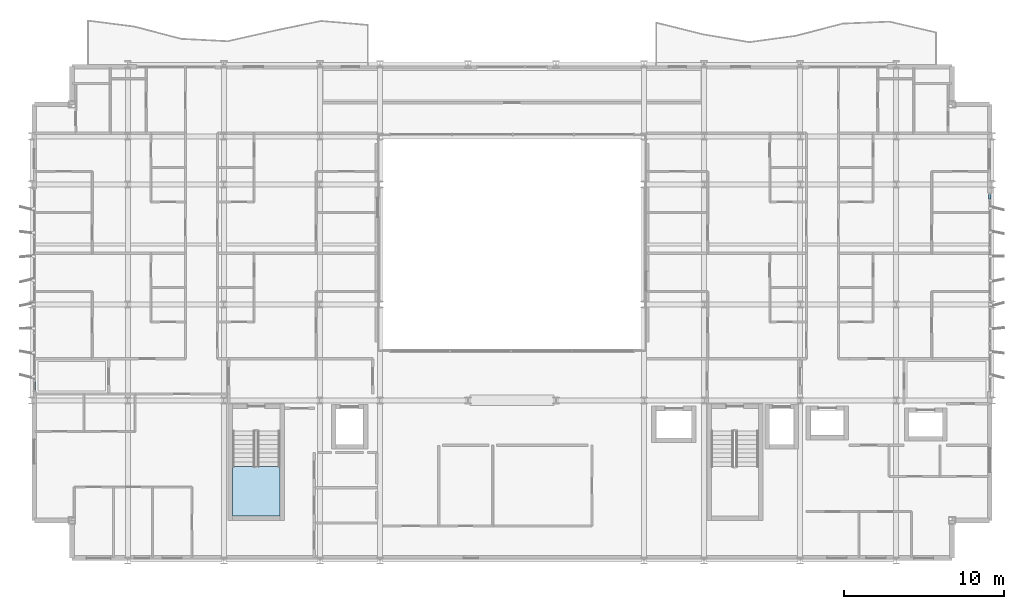
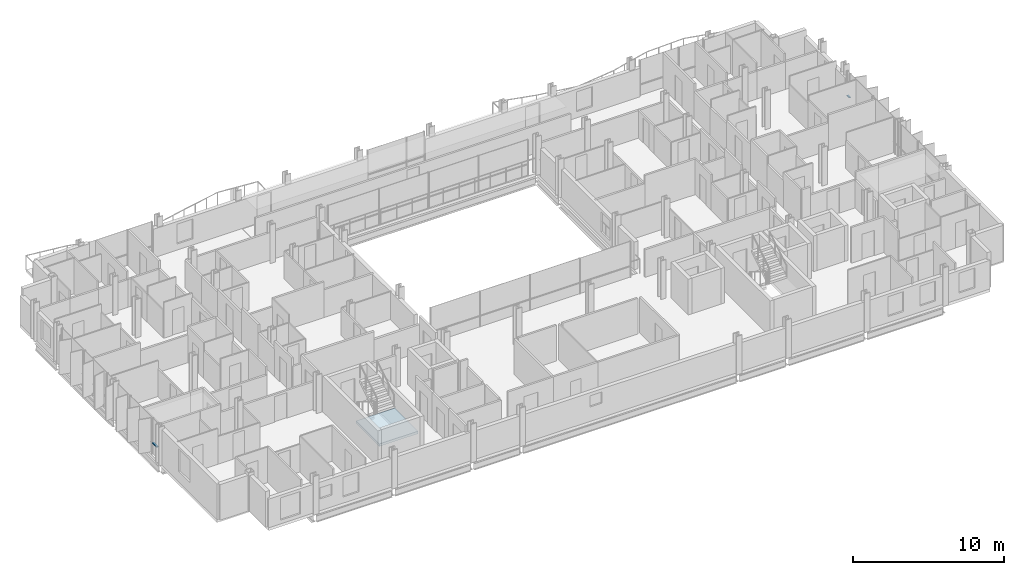
# One storey, part 21 of 39: 2 members, 1 slab, 3 elements without a shape of their own.
"""IFC4 building model written with IfcOpenShell, lengths in metres."""

from ifc_helpers import new_model, si_unit, direction, frame, origin, origin_2d, place, context, subcontext, project, spatial, polyline, hollow_rectangle, outline, extrude, material, layer, layer_set, material_profile, profile_set, type_object, element, aggregate, save


model = new_model("IFC4")

# Units and contexts
model_context = context("Model", 3, precision=1e-05, world=origin(), true_north=direction((0.0, 1.0)))
body_context = subcontext(model_context, "Body", "Model", "MODEL_VIEW")
ifc_project = project(units=[si_unit("LENGTHUNIT", "METRE"), si_unit("AREAUNIT", "SQUARE_METRE"), si_unit("VOLUMEUNIT", "CUBIC_METRE"), si_unit("PLANEANGLEUNIT", "RADIAN"), si_unit("MASSUNIT", "GRAM", prefix="KILO")], contexts=[model_context])

# Site, building, storey
site_placement = place(None, origin())
site = spatial("IfcSite", under=ifc_project, at=site_placement, CompositionType="ELEMENT")
building_placement = place(site_placement, origin())
building = spatial("IfcBuilding", under=site, at=building_placement, Name="Brevholm Reach", CompositionType="ELEMENT")
storey_placement = place(building_placement, frame((0.0, 0.0, 77.60009765625)))
storey = spatial("IfcBuildingStorey", under=building, at=storey_placement, Name="L22", CompositionType="ELEMENT", Elevation=77.60009765625)

# Curtain wall, member
ifc_material_1 = material(Name="Dark Anodised Aluminium 6063-T6 and Solar-Control Glass", Category="aluminium")
ifc_layer_1 = layer(ifc_material_1, 0.14990234375)
ifc_layer_set_1 = layer_set([ifc_layer_1], Name="Dark Anodised Aluminium 6063-T6 and Solar-Control Glass")
curtain_wall_type = type_object("IfcCurtainWallType", Name="CW-01", PredefinedType="NOTDEFINED", material=ifc_layer_set_1)
curtain_wall_1_placement = place(storey_placement, origin())
curtain_wall_1 = element("IfcCurtainWall", 1, at=curtain_wall_1_placement, inside=storey, type_object=curtain_wall_type, Name="L22 Curtain Wall CW-01", PredefinedType="NOTDEFINED")
ifc_material_2 = material(Name="Dark Anodised Aluminium 6063-T6", Category="aluminium")
ifc_material_profile = material_profile(ifc_material_2, hollow_rectangle(XDim=0.06494140625, YDim=0.14990234375, WallThickness=0.0048828125, InnerFilletRadius=0.0048828125, OuterFilletRadius=0.010009765625, at=origin_2d()), Name="RHS 150x65x5")
ifc_profile_set = profile_set([ifc_material_profile], Name="Dark Anodised Aluminium 6063-T6")
member_type = type_object("IfcMemberType", Name="CWT-150", PredefinedType="NOTDEFINED", material=ifc_profile_set)
member_1_placement = place(storey_placement, frame((0.14990234375, 11.1875, 0.89990234375), z_axis=(0.0, -1.0, 0.0), x_axis=(0.0, 0.0, 1.0)))
member_1 = element("IfcMember", 2, at=member_1_placement, type_object=member_type, Name="CT-150 Transom 5.1", ObjectType="TRANSOM", PredefinedType="USERDEFINED", context=body_context, shape_type="SweptSolid", body=[
    extrude(hollow_rectangle(XDim=0.06494140625, YDim=0.14990234375, WallThickness=0.0048828125, InnerFilletRadius=0.0048828125, OuterFilletRadius=0.010009765625, at=origin_2d()), origin(), (0.0, 0.0, 1.0), 0.572509765625),
])
aggregate(curtain_wall_1, [member_1])

curtain_wall_2_placement = place(storey_placement, origin())
curtain_wall_2 = element("IfcCurtainWall", 3, at=curtain_wall_2_placement, inside=storey, type_object=curtain_wall_type, Name="L22 Curtain Wall CW-01", PredefinedType="NOTDEFINED")
member_2_placement = place(storey_placement, frame((59.85009765625, 22.58251953125, 0.89990234375), z_axis=(0.0, 1.0, 0.0), x_axis=(0.0, 0.0, 1.0)))
member_2 = element("IfcMember", 4, at=member_2_placement, type_object=member_type, Name="CT-150 Transom 5.1", ObjectType="TRANSOM", PredefinedType="USERDEFINED", context=body_context, shape_type="SweptSolid", body=[
    extrude(hollow_rectangle(XDim=0.06494140625, YDim=0.14990234375, WallThickness=0.0048828125, InnerFilletRadius=0.0048828125, OuterFilletRadius=0.010009765625, at=origin_2d()), origin(), (0.0, 0.0, 1.0), 0.302490234375),
])
aggregate(curtain_wall_2, [member_2])

# Stair, slab
ifc_material_3 = material(Name="Precast Concrete C40/50", Category="concrete")
stair_type = type_object("IfcStairType", Name="STR-ESC-1400", PredefinedType="DOUBLE_RETURN_STAIR", material=ifc_material_3)
stair_placement = place(storey_placement, origin())
stair = element("IfcStair", 5, at=stair_placement, inside=storey, type_object=stair_type, Name="L22 ST-1", PredefinedType="DOUBLE_RETURN_STAIR")
ifc_material_4 = material(Name="Concrete C40/50", Category="concrete")
ifc_layer_2 = layer(ifc_material_4, 0.199951171875)
ifc_layer_set_2 = layer_set([ifc_layer_2], Name="Concrete C40/50")
slab_type = type_object("IfcSlabType", Name="SLB-LND-200", PredefinedType="LANDING", material=ifc_layer_set_2)
slab_placement = place(storey_placement, frame((0.0, 0.0, 1.349853515625)))
slab = element("IfcSlab", 6, at=slab_placement, type_object=slab_type, Name="ST-1 landing 1", PredefinedType="LANDING", context=body_context, shape_type="SweptSolid", body=[
    extrude(outline(polyline([(12.550048828125, 5.860107421875), (12.550048828125, 2.780029296875), (15.5, 2.780029296875), (15.5, 5.860107421875), (12.550048828125, 5.860107421875)])), origin(), (0.0, 0.0, 1.0), 0.199951171875),
])
aggregate(stair, [slab])

save(model, "model.ifc")
